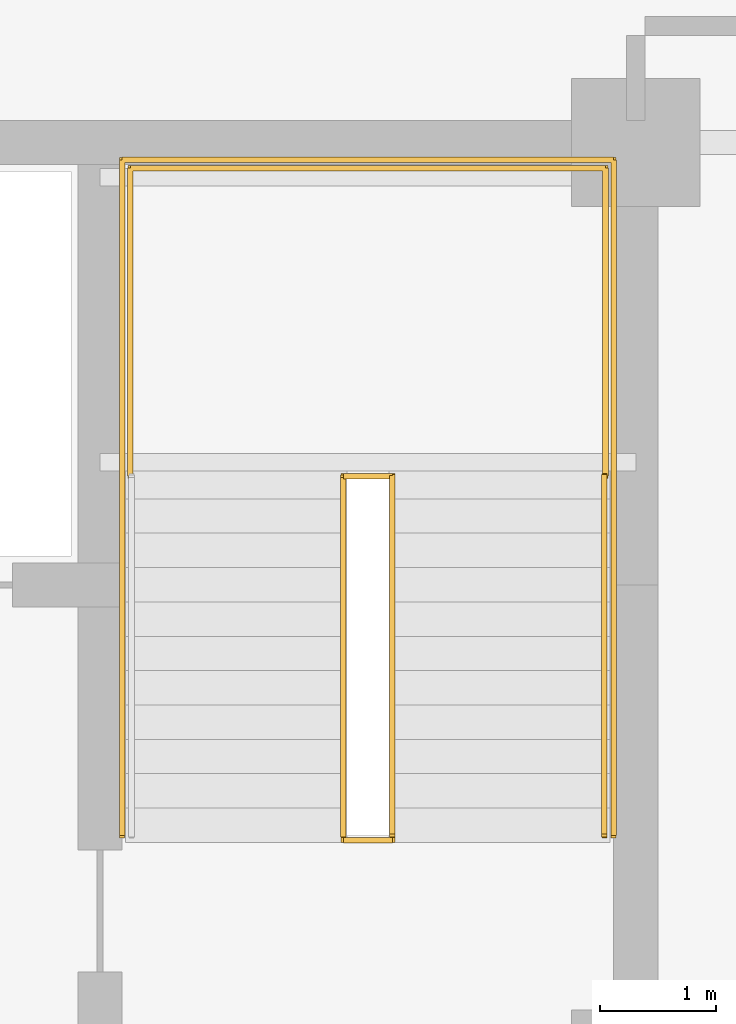
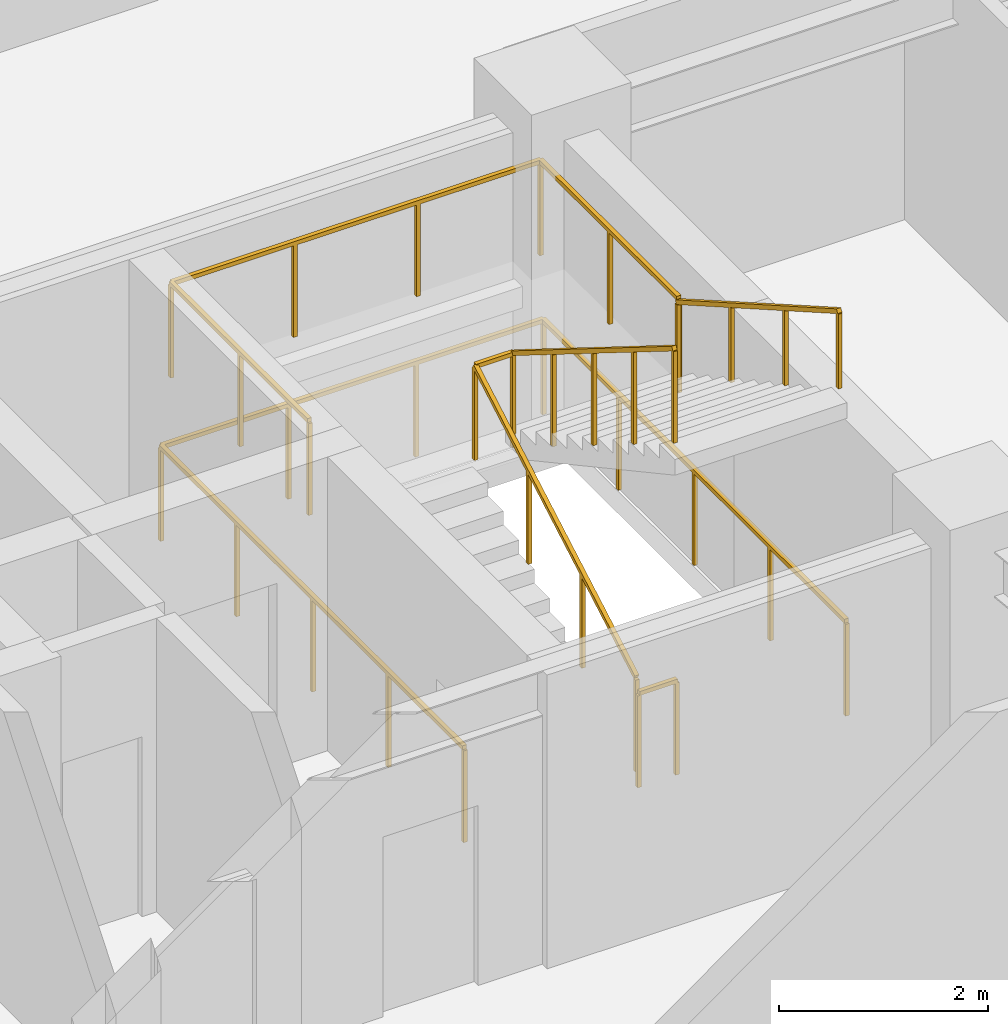
# One storey, part 27 of 27: 5 railings.
"""IFC4 building model written with IfcOpenShell, lengths in metres."""

from ifc_helpers import new_model, si_unit, direction, frame, origin, origin_2d, place, context, subcontext, project, spatial, rectangle, extrude, material, layer, layer_set, type_object, element, save


model = new_model("IFC4")

# Units and contexts
model_context = context("Model", 3, precision=1e-05, world=origin(), true_north=direction((0.0, 1.0)))
body_context = subcontext(model_context, "Body", "Model", "MODEL_VIEW")
ifc_project = project(units=[si_unit("LENGTHUNIT", "METRE"), si_unit("AREAUNIT", "SQUARE_METRE"), si_unit("VOLUMEUNIT", "CUBIC_METRE"), si_unit("PLANEANGLEUNIT", "RADIAN"), si_unit("MASSUNIT", "GRAM", prefix="KILO")], contexts=[model_context])

# Site, building, storey
site_placement = place(None, origin())
site = spatial("IfcSite", under=ifc_project, at=site_placement, CompositionType="ELEMENT")
building_placement = place(site_placement, origin())
building = spatial("IfcBuilding", under=site, at=building_placement, Name="Taldren Reach Tower", CompositionType="ELEMENT")
storey_placement = place(building_placement, frame((0.0, 0.0, 12.949951171875)))
storey = spatial("IfcBuildingStorey", under=building, at=storey_placement, Name="L03", CompositionType="ELEMENT", Elevation=12.949951171875)

# Railings
ifc_material_1 = material(Name="Steel Gr 350 (C350L0)", Category="steel")
ifc_layer_1 = layer(ifc_material_1, 0.050048828125)
ifc_layer_set_1 = layer_set([ifc_layer_1], Name="Steel Gr 350 (C350L0)")
railing_type_1 = type_object("IfcRailingType", Name="RL-STAIR-GR", PredefinedType="GUARDRAIL", material=ifc_layer_set_1)
railing_1_placement = place(storey_placement, frame((46.659912109375, 29.135009765625, 1.925048828125)))
element("IfcRailing", 1, at=railing_1_placement, inside=storey, type_object=railing_type_1, Name="Stair half-landing perimeter guard ST2-L03", PredefinedType="GUARDRAIL", context=body_context, shape_type="SweptSolid", body=[
    extrude(rectangle(XDim=0.047852, YDim=0.047852, at=origin_2d()), frame((0.0, 0.0, 1.09619140625), z_axis=(0.0, 1.0, 0.0), x_axis=(-1.0, 0.0, 0.0)), (0.0, 0.0, 1.0), 2.64501953125),
    extrude(rectangle(XDim=0.047852, YDim=0.047852, at=origin_2d()), frame((0.0, 2.64501953125, 1.09619140625), z_axis=(1.0, 0.0, 0.0), x_axis=(0.0, 1.0, 0.0)), (0.0, 0.0, 1.0), 4.080078125),
    extrude(rectangle(XDim=0.047852, YDim=0.047852, at=origin_2d()), frame((4.080078125, 2.64501953125, 1.09619140625), z_axis=(0.0, -1.0, 0.0), x_axis=(1.0, 0.0, 0.0)), (0.0, 0.0, 1.0), 2.64501953125),
    extrude(rectangle(XDim=0.041992, YDim=0.041992, at=origin_2d()), origin(), (0.0, 0.0, 1.0), 1.072021484375),
    extrude(rectangle(XDim=0.041992, YDim=0.041992, at=origin_2d()), frame((0.0, 1.322509765625, 0.0)), (0.0, 0.0, 1.0), 1.072021484375),
    extrude(rectangle(XDim=0.041992, YDim=0.041992, at=origin_2d()), frame((0.0, 2.64501953125, 0.0)), (0.0, 0.0, 1.0), 1.072021484375),
    extrude(rectangle(XDim=0.041992, YDim=0.041992, at=origin_2d()), frame((1.360107421875, 2.64501953125, 0.0)), (0.0, 0.0, 1.0), 1.072021484375),
    extrude(rectangle(XDim=0.041992, YDim=0.041992, at=origin_2d()), frame((2.719970703125, 2.64501953125, 0.0)), (0.0, 0.0, 1.0), 1.072021484375),
    extrude(rectangle(XDim=0.041992, YDim=0.041992, at=origin_2d()), frame((4.080078125, 2.64501953125, 0.0)), (0.0, 0.0, 1.0), 1.072021484375),
    extrude(rectangle(XDim=0.041992, YDim=0.041992, at=origin_2d()), frame((4.080078125, 1.322509765625, 0.0)), (0.0, 0.0, 1.0), 1.072021484375),
    extrude(rectangle(XDim=0.041992, YDim=0.041992, at=origin_2d()), frame((4.080078125, 0.0, 0.0)), (0.0, 0.0, 1.0), 1.072021484375),
])
railing_2_placement = place(storey_placement, frame((48.489990234375, 26.050048828125, 0.160400390625)))
element("IfcRailing", 2, at=railing_2_placement, inside=storey, type_object=railing_type_1, Name="Stairwell inner guard ST2-L03", PredefinedType="GUARDRAIL", context=body_context, shape_type="SweptSolid", body=[
    extrude(rectangle(XDim=0.047852, YDim=0.047852, at=origin_2d()), frame((0.0, 0.0, 1.09619140625), z_axis=(0.0, 0.868023234622, 0.496523578652), x_axis=(-1.0, 0.0, 0.0)), (0.0, 0.0, 1.0), 3.553955078125),
    extrude(rectangle(XDim=0.047852, YDim=0.047852, at=origin_2d()), frame((0.0, 3.0849609375, 2.86083984375), z_axis=(1.0, 0.0, 0.0), x_axis=(0.0, 1.0, 0.0)), (0.0, 0.0, 1.0), 0.419921875),
    extrude(rectangle(XDim=0.047852, YDim=0.047852, at=origin_2d()), frame((0.419921875, 3.0849609375, 2.86083984375), z_axis=(0.0, -0.848375277705, 0.529395304266), x_axis=(1.0, 0.0, 0.0)), (0.0, 0.0, 1.0), 3.63623046875),
    extrude(rectangle(XDim=0.041992, YDim=0.041992, at=origin_2d()), origin(), (0.0, 0.0, 1.0), 1.072021484375),
    extrude(rectangle(XDim=0.041992, YDim=0.041992, at=origin_2d()), frame((0.0, 1.0283203125, 0.588134765625)), (0.0, 0.0, 1.0), 1.072021484375),
    extrude(rectangle(XDim=0.041992, YDim=0.041992, at=origin_2d()), frame((0.0, 2.056640625, 1.176513671875)), (0.0, 0.0, 1.0), 1.072021484375),
    extrude(rectangle(XDim=0.041992, YDim=0.041992, at=origin_2d()), frame((0.0, 3.0849609375, 1.7646484375)), (0.0, 0.0, 1.0), 1.072021484375),
    extrude(rectangle(XDim=0.041992, YDim=0.041992, at=origin_2d()), frame((0.419921875, 3.0849609375, 1.7646484375)), (0.0, 0.0, 1.0), 1.072021484375),
    extrude(rectangle(XDim=0.041992, YDim=0.041992, at=origin_2d()), frame((0.419921875, 2.313720703125, 2.245849609375)), (0.0, 0.0, 1.0), 1.072021484375),
    extrude(rectangle(XDim=0.041992, YDim=0.041992, at=origin_2d()), frame((0.419921875, 1.54248046875, 2.72705078125)), (0.0, 0.0, 1.0), 1.072021484375),
    extrude(rectangle(XDim=0.041992, YDim=0.041992, at=origin_2d()), frame((0.419921875, 0.771240234375, 3.20849609375)), (0.0, 0.0, 1.0), 1.072021484375),
    extrude(rectangle(XDim=0.041992, YDim=0.041992, at=origin_2d()), frame((0.419921875, 0.0, 3.689697265625)), (0.0, 0.0, 1.0), 1.072021484375),
])
railing_3_placement = place(storey_placement, frame((48.489990234375, 26.010009765625, 0.0)))
element("IfcRailing", 3, at=railing_3_placement, inside=storey, type_object=railing_type_1, Name="Stairwell landing slot guard ST2-L03", PredefinedType="GUARDRAIL", context=body_context, shape_type="SweptSolid", body=[
    extrude(rectangle(XDim=0.047852, YDim=0.047852, at=origin_2d()), frame((0.0, 0.0, 1.09619140625), z_axis=(1.0, 0.0, 0.0), x_axis=(0.0, 1.0, 0.0)), (0.0, 0.0, 1.0), 0.419921875),
    extrude(rectangle(XDim=0.041992, YDim=0.041992, at=origin_2d()), origin(), (0.0, 0.0, 1.0), 1.072021484375),
    extrude(rectangle(XDim=0.041992, YDim=0.041992, at=origin_2d()), frame((0.419921875, 0.0, 0.0)), (0.0, 0.0, 1.0), 1.072021484375),
])
railing_4_placement = place(storey_placement, frame((46.590087890625, 26.050048828125, 0.0)))
element("IfcRailing", 4, at=railing_4_placement, inside=storey, type_object=railing_type_1, Name="Stairwell floor opening guard ST2-L03", PredefinedType="GUARDRAIL", context=body_context, shape_type="SweptSolid", body=[
    extrude(rectangle(XDim=0.047852, YDim=0.047852, at=origin_2d()), frame((0.0, 0.0, 1.09619140625), z_axis=(0.0, 1.0, 0.0), x_axis=(-1.0, 0.0, 0.0)), (0.0, 0.0, 1.0), 5.800048828125),
    extrude(rectangle(XDim=0.047852, YDim=0.047852, at=origin_2d()), frame((0.0, 5.800048828125, 1.09619140625), z_axis=(1.0, 0.0, 0.0), x_axis=(0.0, 1.0, 0.0)), (0.0, 0.0, 1.0), 4.219970703125),
    extrude(rectangle(XDim=0.047852, YDim=0.047852, at=origin_2d()), frame((4.219970703125, 5.800048828125, 1.09619140625), z_axis=(0.0, -1.0, 0.0), x_axis=(1.0, 0.0, 0.0)), (0.0, 0.0, 1.0), 5.800048828125),
    extrude(rectangle(XDim=0.041992, YDim=0.041992, at=origin_2d()), origin(), (0.0, 0.0, 1.0), 1.072021484375),
    extrude(rectangle(XDim=0.041992, YDim=0.041992, at=origin_2d()), frame((0.0, 1.449951171875, 0.0)), (0.0, 0.0, 1.0), 1.072021484375),
    extrude(rectangle(XDim=0.041992, YDim=0.041992, at=origin_2d()), frame((0.0, 2.89990234375, 0.0)), (0.0, 0.0, 1.0), 1.072021484375),
    extrude(rectangle(XDim=0.041992, YDim=0.041992, at=origin_2d()), frame((0.0, 4.35009765625, 0.0)), (0.0, 0.0, 1.0), 1.072021484375),
    extrude(rectangle(XDim=0.041992, YDim=0.041992, at=origin_2d()), frame((0.0, 5.800048828125, 0.0)), (0.0, 0.0, 1.0), 1.072021484375),
    extrude(rectangle(XDim=0.041992, YDim=0.041992, at=origin_2d()), frame((1.40673828125, 5.800048828125, 0.0)), (0.0, 0.0, 1.0), 1.072021484375),
    extrude(rectangle(XDim=0.041992, YDim=0.041992, at=origin_2d()), frame((2.813232421875, 5.800048828125, 0.0)), (0.0, 0.0, 1.0), 1.072021484375),
    extrude(rectangle(XDim=0.041992, YDim=0.041992, at=origin_2d()), frame((4.219970703125, 5.800048828125, 0.0)), (0.0, 0.0, 1.0), 1.072021484375),
    extrude(rectangle(XDim=0.041992, YDim=0.041992, at=origin_2d()), frame((4.219970703125, 4.35009765625, 0.0)), (0.0, 0.0, 1.0), 1.072021484375),
    extrude(rectangle(XDim=0.041992, YDim=0.041992, at=origin_2d()), frame((4.219970703125, 2.89990234375, 0.0)), (0.0, 0.0, 1.0), 1.072021484375),
    extrude(rectangle(XDim=0.041992, YDim=0.041992, at=origin_2d()), frame((4.219970703125, 1.449951171875, 0.0)), (0.0, 0.0, 1.0), 1.072021484375),
    extrude(rectangle(XDim=0.041992, YDim=0.041992, at=origin_2d()), frame((4.219970703125, 0.0, 0.0)), (0.0, 0.0, 1.0), 1.072021484375),
])
ifc_material_2 = material(Name="Stainless Steel Gr 316", Category="steel")
ifc_layer_2 = layer(ifc_material_2, 0.048095703125)
ifc_layer_set_2 = layer_set([ifc_layer_2], Name="Stainless Steel Gr 316")
railing_type_2 = type_object("IfcRailingType", Name="RL-STAIR-HR", PredefinedType="HANDRAIL", material=ifc_layer_set_2)
railing_5_placement = place(storey_placement, frame((50.72998046875, 29.135009765625, 2.08544921875)))
element("IfcRailing", 5, at=railing_5_placement, inside=storey, type_object=railing_type_2, Name="Stair flight handrail ST2-L03-2", PredefinedType="HANDRAIL", context=body_context, shape_type="SweptSolid", body=[
    extrude(rectangle(XDim=0.047852, YDim=0.047852, at=origin_2d()), frame((0.0, 0.0, 0.89599609375), z_axis=(0.0, -0.868023234622, 0.496523578652), x_axis=(1.0, 0.0, 0.0)), (0.0, 0.0, 1.0), 3.553955078125),
    extrude(rectangle(XDim=0.041992, YDim=0.041992, at=origin_2d()), origin(), (0.0, 0.0, 1.0), 0.871826171875),
    extrude(rectangle(XDim=0.041992, YDim=0.041992, at=origin_2d()), frame((0.0, -1.0283203125, 0.588134765625)), (0.0, 0.0, 1.0), 0.871826171875),
    extrude(rectangle(XDim=0.041992, YDim=0.041992, at=origin_2d()), frame((0.0, -2.056640625, 1.176513671875)), (0.0, 0.0, 1.0), 0.871826171875),
    extrude(rectangle(XDim=0.041992, YDim=0.041992, at=origin_2d()), frame((0.0, -3.0849609375, 1.7646484375)), (0.0, 0.0, 1.0), 0.871826171875),
])

save(model, "model.ifc")
